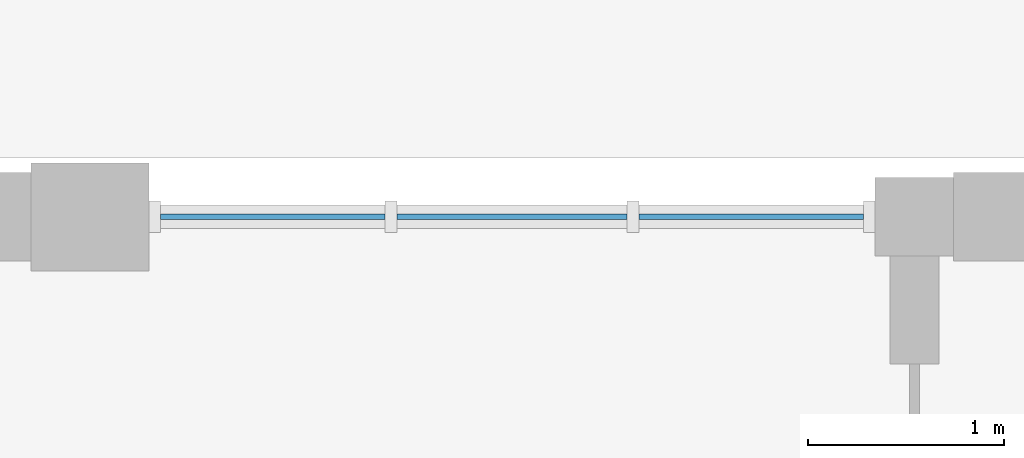
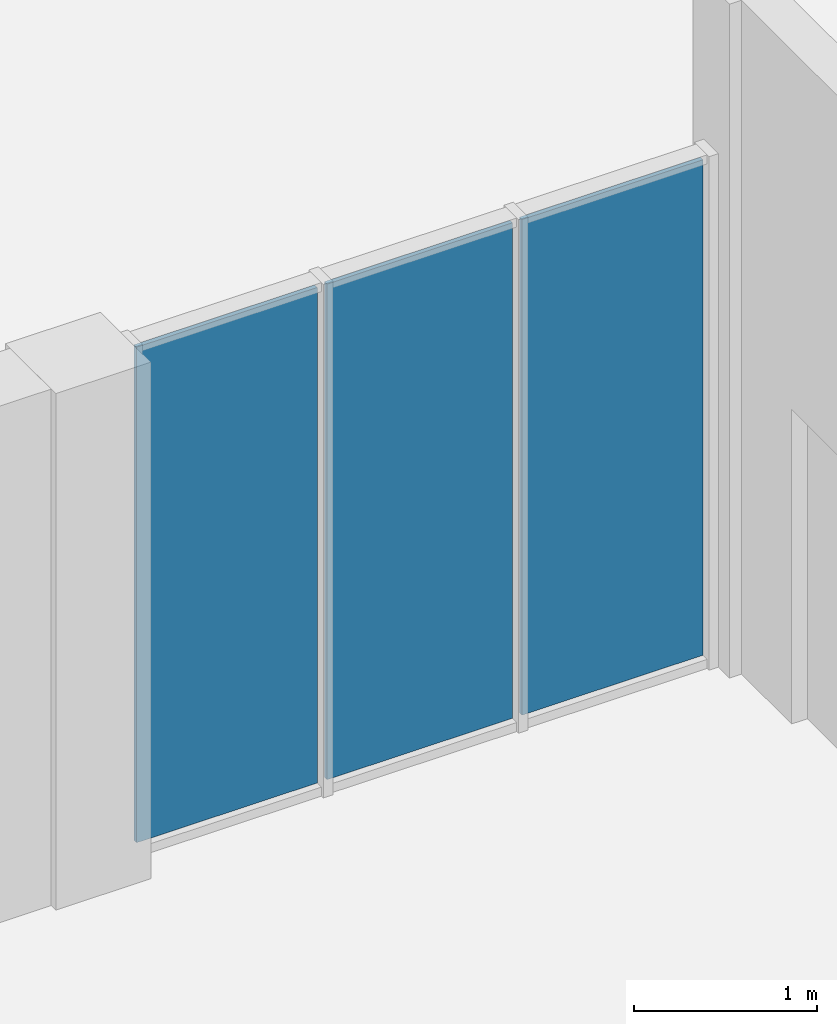
# One storey, part 69 of 101: 3 plates, 1 element without a shape of its own.
"""IFC4 building model written with IfcOpenShell, lengths in metres."""

from ifc_helpers import new_model, si_unit, direction, frame, origin, origin_2d, place, context, subcontext, project, spatial, rectangle, extrude, material, layer, layer_set, type_object, element, aggregate, save


model = new_model("IFC4")

# Units and contexts
model_context = context("Model", 3, precision=1e-05, world=origin(), true_north=direction((0.0, 1.0)))
body_context = subcontext(model_context, "Body", "Model", "MODEL_VIEW")
ifc_project = project(units=[si_unit("LENGTHUNIT", "METRE"), si_unit("AREAUNIT", "SQUARE_METRE"), si_unit("VOLUMEUNIT", "CUBIC_METRE"), si_unit("PLANEANGLEUNIT", "RADIAN"), si_unit("MASSUNIT", "GRAM", prefix="KILO")], contexts=[model_context])

# Site, building, storey
site_placement = place(None, origin())
site = spatial("IfcSite", under=ifc_project, at=site_placement, CompositionType="ELEMENT")
building_placement = place(site_placement, origin())
building = spatial("IfcBuilding", under=site, at=building_placement, Name="Fescue Hill Polytechnic", CompositionType="ELEMENT")
storey_placement = place(building_placement, frame((0.0, 0.0, 9.0)))
storey = spatial("IfcBuildingStorey", under=building, at=storey_placement, Name="L02", CompositionType="ELEMENT", Elevation=9.0)

# Curtain wall, plates
ifc_material = material(Name="Glass", Category="glass")
curtain_wall_type = type_object("IfcCurtainWallType", Name="Curtain wall structural glazing", PredefinedType="NOTDEFINED", material=ifc_material)
curtain_wall_placement = place(storey_placement, origin())
curtain_wall = element("IfcCurtainWall", 1, at=curtain_wall_placement, inside=storey, type_object=curtain_wall_type, Name="CW-L02-V4b-X1", PredefinedType="NOTDEFINED")
ifc_layer = layer(ifc_material, 0.028076171875)
ifc_layer_set = layer_set([ifc_layer], Name="Glass")
plate_type = type_object("IfcPlateType", Name="Panel glazing 28", PredefinedType="CURTAIN_PANEL", material=ifc_layer_set)
plate_1_placement = place(storey_placement, frame((108.368408203125, 134.39990234375, 0.06005859375), z_axis=(0.0, 0.0, 1.0), x_axis=(-1.0, 0.0, 0.0)))
plate_1 = element("IfcPlate", 2, at=plate_1_placement, type_object=plate_type, Name="CW166 panel 1.1", PredefinedType="CURTAIN_PANEL", context=body_context, shape_type="SweptSolid", body=[
    extrude(rectangle(XDim=1.143310546875, YDim=0.028076171875, at=origin_2d()), origin(), (0.0, 0.0, 1.0), 3.31005859375),
])
plate_2_placement = place(storey_placement, frame((107.14990234375, 134.39990234375, 0.06005859375), z_axis=(0.0, 0.0, 1.0), x_axis=(-1.0, 0.0, 0.0)))
plate_2 = element("IfcPlate", 3, at=plate_2_placement, type_object=plate_type, Name="CW166 panel 2.1", PredefinedType="CURTAIN_PANEL", context=body_context, shape_type="SweptSolid", body=[
    extrude(rectangle(XDim=1.17333984375, YDim=0.028076171875, at=origin_2d()), origin(), (0.0, 0.0, 1.0), 3.31005859375),
])
plate_3_placement = place(storey_placement, frame((105.931640625, 134.39990234375, 0.06005859375), z_axis=(0.0, 0.0, 1.0), x_axis=(-1.0, 0.0, 0.0)))
plate_3 = element("IfcPlate", 4, at=plate_3_placement, type_object=plate_type, Name="CW166 panel 3.1", PredefinedType="CURTAIN_PANEL", context=body_context, shape_type="SweptSolid", body=[
    extrude(rectangle(XDim=1.143310546875, YDim=0.028076171875, at=origin_2d()), origin(), (0.0, 0.0, 1.0), 3.31005859375),
])
aggregate(curtain_wall, [plate_1, plate_2, plate_3])

save(model, "model.ifc")
